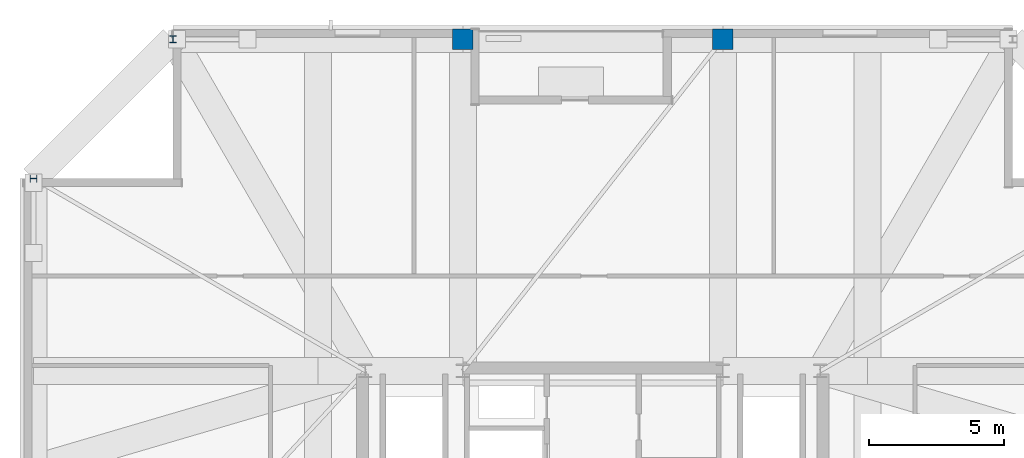
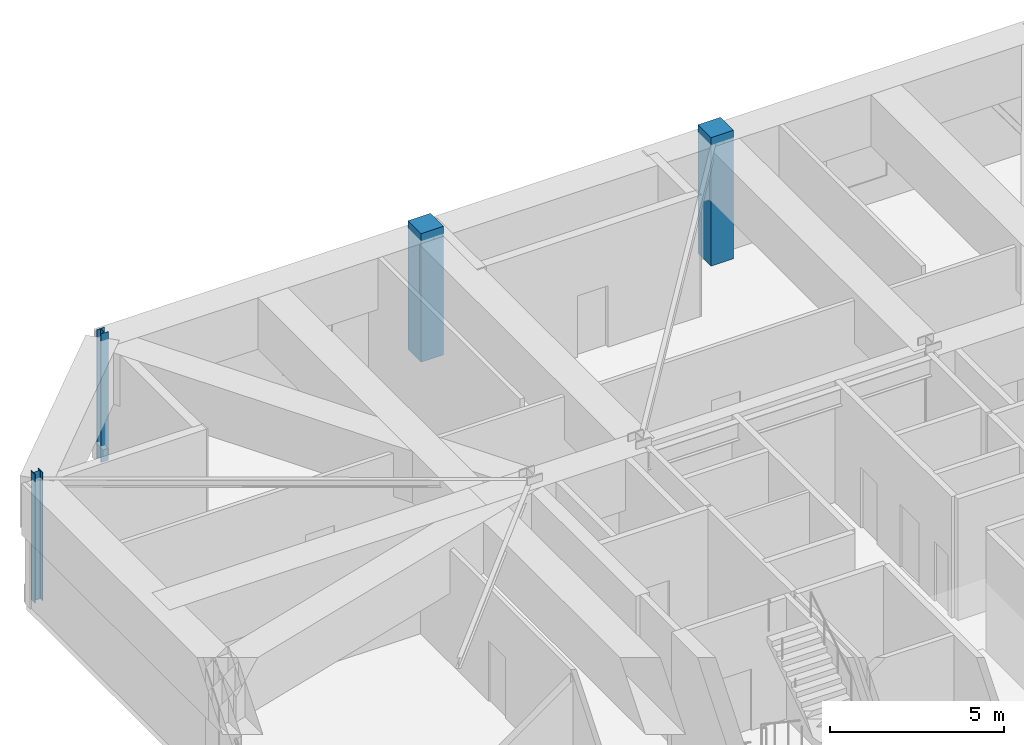
# One storey, part 4 of 17: 4 columns.
"""IFC4 building model written with IfcOpenShell, lengths in metres."""

from ifc_helpers import new_model, si_unit, direction, frame, origin, origin_2d, place, context, subcontext, project, spatial, rectangle, i_section, extrude, material, material_profile, profile_set, type_object, element, save


model = new_model("IFC4")

# Units and contexts
model_context = context("Model", 3, precision=1e-05, world=origin(), true_north=direction((0.0, 1.0)))
body_context = subcontext(model_context, "Body", "Model", "MODEL_VIEW")
ifc_project = project(units=[si_unit("LENGTHUNIT", "METRE"), si_unit("AREAUNIT", "SQUARE_METRE"), si_unit("VOLUMEUNIT", "CUBIC_METRE"), si_unit("PLANEANGLEUNIT", "RADIAN"), si_unit("MASSUNIT", "GRAM", prefix="KILO")], contexts=[model_context])

# Site, building, storey
site_placement = place(None, origin())
site = spatial("IfcSite", under=ifc_project, at=site_placement, CompositionType="ELEMENT")
building_placement = place(site_placement, origin())
building = spatial("IfcBuilding", under=site, at=building_placement, Name="Cairnveth Concourse Tower", CompositionType="ELEMENT")
storey_placement = place(building_placement, frame((0.0, 0.0, 320.0)))
storey = spatial("IfcBuildingStorey", under=building, at=storey_placement, Name="L88", CompositionType="ELEMENT", Elevation=320.0)

# Columns
ifc_material_1 = material(Name="Concrete N50 (50 MPa)", Category="concrete")
ifc_material_profile_1 = material_profile(ifc_material_1, rectangle(XDim=0.75, YDim=0.75, at=origin_2d()), Name="RC-COL-750x750")
ifc_profile_set_1 = profile_set([ifc_material_profile_1], Name="Concrete N50 (50 MPa)")
column_type_1 = type_object("IfcColumnType", Name="PERIMETER PIER COLUMN 750X750", PredefinedType="COLUMN", material=ifc_profile_set_1)
for number, where, z_axis, x_axis, name in (
    (1, (56.800048828125, 59.64990234375, 0.0), (0.0, 0.0, 1.0), (1.0, 0.0, 0.0), "Column P-N2 L88"),
    (2, (47.199951171875, 59.64990234375, 0.0), (0.0, 0.0, 1.0), (1.0, 0.0, 0.0), "Column P-N3 L88"),
):
    element("IfcColumn", number, at=place(storey_placement, frame(where, z_axis=z_axis, x_axis=x_axis)), inside=storey, type_object=column_type_1, Name=name, PredefinedType="COLUMN", context=body_context, shape_type="SweptSolid", body=[
        extrude(rectangle(XDim=0.75, YDim=0.75, at=origin_2d()), origin(), (0.0, 0.0, 1.0), 4.5),
    ])
ifc_material_2 = material(Name="Steel Grade 350", Category="steel")
ifc_material_profile_2 = material_profile(ifc_material_2, i_section(OverallWidth=0.25390625, OverallDepth=0.25390625, WebThickness=0.008544921875, FlangeThickness=0.01416015625, FilletRadius=0.012939453125, at=origin_2d()), Name="250UC72.9")
ifc_profile_set_2 = profile_set([ifc_material_profile_2], Name="Steel Grade 350")
column_type_2 = type_object("IfcColumnType", Name="UNIVERSAL STEEL COLUMN 250UC72.9", PredefinedType="COLUMN", material=ifc_profile_set_2)
for number, where, z_axis, x_axis, name in (
    (3, (36.5, 59.64990234375, 0.0), (0.0, 0.0, 1.0), (1.0, 0.0, 0.0), "Column P-N4 L88"),
    (4, (31.35009765625, 54.5, 0.0), (0.0, 0.0, 1.0), (0.0, 1.0, 0.0), "Column P-W1 L88"),
):
    element("IfcColumn", number, at=place(storey_placement, frame(where, z_axis=z_axis, x_axis=x_axis)), inside=storey, type_object=column_type_2, Name=name, PredefinedType="COLUMN", context=body_context, shape_type="SweptSolid", body=[
        extrude(i_section(OverallWidth=0.25390625, OverallDepth=0.25390625, WebThickness=0.008544921875, FlangeThickness=0.01416015625, FilletRadius=0.012939453125, at=origin_2d()), origin(), (0.0, 0.0, 1.0), 4.5),
    ])

save(model, "model.ifc")
